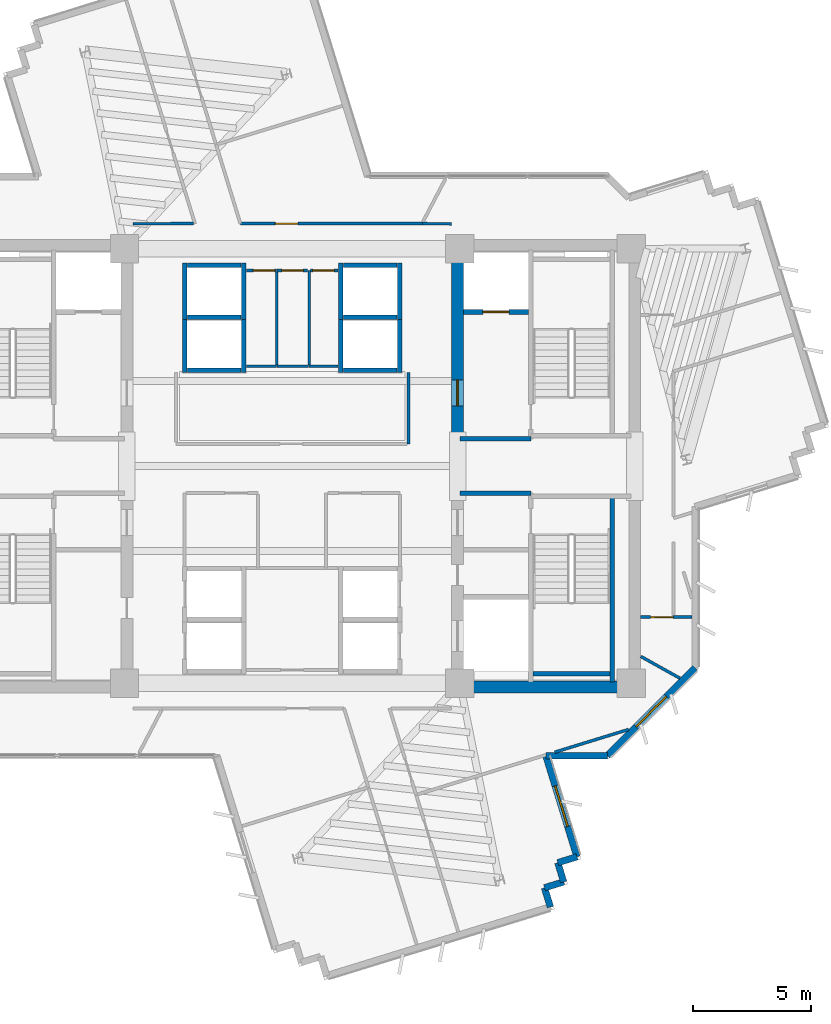
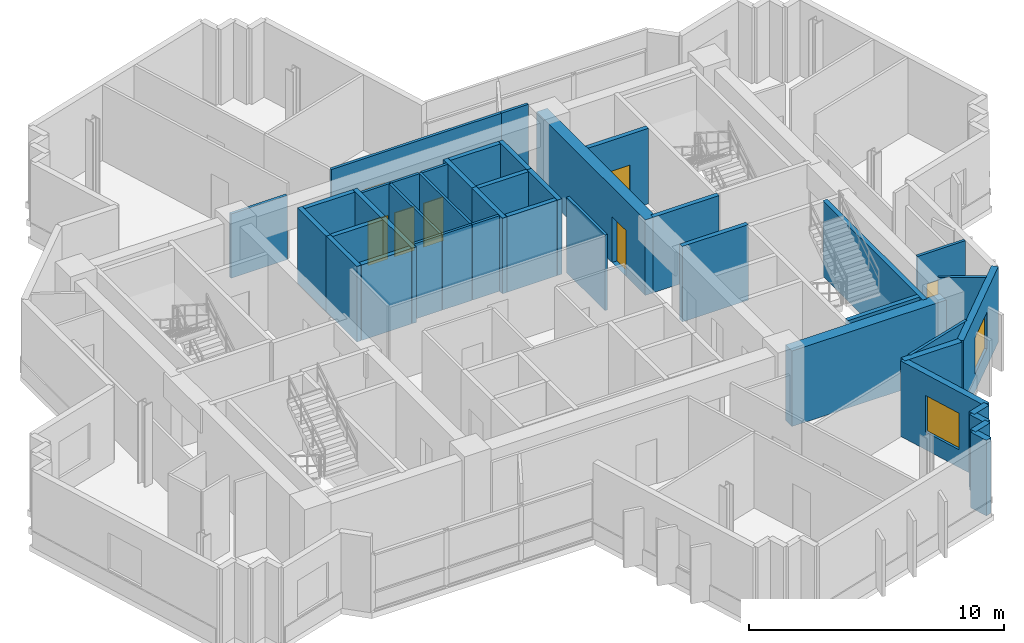
# One storey, part 7 of 13: 43 walls, 7 doors, 2 windows, 9 openings.
"""IFC4 building model written with IfcOpenShell, lengths in metres."""

from ifc_helpers import new_model, si_unit, direction, frame, frame_2d, origin, place, context, subcontext, project, spatial, rectangle, extrude, source, transform, mapped, material, layer, layer_set, type_object, element, fill, save


model = new_model("IFC4")

# Units and contexts
model_context = context("Model", 3, precision=1e-05, world=origin(), true_north=direction((0.0, 1.0)))
body_context = subcontext(model_context, "Body", "Model", "MODEL_VIEW")
ifc_project = project(units=[si_unit("LENGTHUNIT", "METRE"), si_unit("AREAUNIT", "SQUARE_METRE"), si_unit("VOLUMEUNIT", "CUBIC_METRE"), si_unit("PLANEANGLEUNIT", "RADIAN"), si_unit("MASSUNIT", "GRAM", prefix="KILO")], contexts=[model_context])

# Site, building, storey
site_placement = place(None, origin())
site = spatial("IfcSite", under=ifc_project, at=site_placement, CompositionType="ELEMENT")
building_placement = place(site_placement, origin())
building = spatial("IfcBuilding", under=site, at=building_placement, Name="Zahravan Cultural Tower", CompositionType="ELEMENT")
storey_placement = place(building_placement, frame((0.0, 0.0, 217.5)))
storey = spatial("IfcBuildingStorey", under=building, at=storey_placement, Name="L51", CompositionType="ELEMENT", Elevation=217.5)

# Wall, opening, door
ifc_material_1 = material(Name="Concrete C60/75", Category="concrete")
ifc_layer_1 = layer(ifc_material_1, 0.5)
ifc_layer_set_1 = layer_set([ifc_layer_1], Name="Concrete C60/75")
wall_type_1 = type_object("IfcWallType", Name="CW-SHEAR-500-C60", PredefinedType="SHEAR", material=ifc_layer_set_1)
wall_1_placement = place(storey_placement, frame((43.0, 28.050048828125, 0.0), z_axis=(0.0, 0.0, 1.0), x_axis=(0.0, 1.0, 0.0)))
wall_1 = element("IfcWall", 1, at=wall_1_placement, inside=storey, type_object=wall_type_1, Name="L51 Core Shear Wall CW-E-WN-L51", PredefinedType="SHEAR", context=body_context, shape_type="SweptSolid", body=[
    extrude(rectangle(XDim=8.550048828125, YDim=0.5, at=frame_2d((4.27490234375, 0.0))), origin(), (0.0, 0.0, 1.0), 3.6201171875),
])
opening_1_placement = place(wall_1_placement, frame((1.5, 0.0, 0.0)))
opening_1 = element("IfcOpeningElement", 2, at=opening_1_placement, cuts=wall_1, Name="Opening D-L51-06", PredefinedType="OPENING", context=body_context, shape_type="SweptSolid", body=[
    extrude(rectangle(XDim=1.10009765625, YDim=2.199951171875, at=frame_2d((0.550048828125, 1.10009765625))), frame((0.0, 0.260009765625, 0.0), z_axis=(0.0, -1.0, 0.0), x_axis=(1.0, 0.0, 0.0)), (0.0, 0.0, 1.0), 0.52001953125),
])
ifc_material_2 = material(Name="Steel ASTM A572 Grade 50", Category="steel")
door_type_1 = type_object("IfcDoorType", Name="DR-LOBBY-1100", OperationType="NOTDEFINED", PredefinedType="DOOR", material=ifc_material_2)
shared_shape_1 = source(origin(), body_context, "Body", "SweptSolid", [
    extrude(rectangle(XDim=1.10009765625, YDim=2.199951171875, at=frame_2d((0.550048828125, 1.10009765625))), frame((0.0, 0.02490234375, 0.0), z_axis=(0.0, -1.0, 0.0), x_axis=(1.0, 0.0, 0.0)), (0.0, 0.0, 1.0), 0.050048828125),
])
door_1_placement = place(opening_1_placement, origin())
door_1 = element("IfcDoor", 3, at=door_1_placement, inside=storey, type_object=door_type_1, Name="L51 Door D-L51-06", OperationType="SINGLE_SWING_LEFT", OverallHeight=2.199951171875, OverallWidth=1.10009765625, PredefinedType="DOOR", context=body_context, shape_type="MappedRepresentation", body=[
    mapped(shared_shape_1, transform((0.0, 0.0, 0.0), x_axis=(1.0, 0.0, 0.0), y_axis=(0.0, 1.0, 0.0), z_axis=(0.0, 0.0, 1.0), scale=1.0)),
])
fill(opening_1, door_1)

# Wall, opening, window
ifc_material_3 = material(Name="Precast concrete C40/50", Category="concrete")
ifc_layer_2 = layer(ifc_material_3, 0.280029296875)
ifc_layer_set_2 = layer_set([ifc_layer_2], Name="Precast concrete C40/50")
wall_type_2 = type_object("IfcWallType", Name="EW-TC-280", PredefinedType="SOLIDWALL", material=ifc_layer_set_2)
wall_2_placement = place(storey_placement, frame((53.06005859375, 18.4580078125, 0.0), z_axis=(0.0, 0.0, 1.0), x_axis=(-0.707106781187, -0.707106781187, 0.0)))
wall_2 = element("IfcWall", 4, at=wall_2_placement, inside=storey, type_object=wall_type_2, Name="L51 Exterior Masonry Frame Wall 13", PredefinedType="SOLIDWALL", context=body_context, shape_type="SweptSolid", body=[
    extrude(rectangle(XDim=5.258056640625, YDim=0.280029296875, at=frame_2d((2.62890625, 0.0))), origin(), (0.0, 0.0, 1.0), 3.6201171875),
])
opening_2_placement = place(wall_2_placement, frame((1.72900390625, 0.0, 0.85009765625)))
opening_2 = element("IfcOpeningElement", 5, at=opening_2_placement, cuts=wall_2, Name="Opening WN-02", PredefinedType="OPENING", context=body_context, shape_type="SweptSolid", body=[
    extrude(rectangle(XDim=1.800048828125, YDim=1.75, at=frame_2d((0.89990234375, 0.875))), frame((0.0, 0.14990234375, 0.0), z_axis=(0.0, -1.0, 0.0), x_axis=(1.0, 0.0, 0.0)), (0.0, 0.0, 1.0), 0.300048828125),
])
ifc_material_4 = material(Name="Low-E solar-control double glazing", Category="glass")
window_type = type_object("IfcWindowType", Name="WN-REC-1800X1750", PartitioningType="DOUBLE_PANEL_VERTICAL", PredefinedType="WINDOW", material=ifc_material_4)
shared_shape_2 = source(origin(), body_context, "Body", "SweptSolid", [
    extrude(rectangle(XDim=1.800048828125, YDim=1.75, at=frame_2d((0.89990234375, 0.875))), frame((0.0, 0.030029296875, 0.0), z_axis=(0.0, -1.0, 0.0), x_axis=(1.0, 0.0, 0.0)), (0.0, 0.0, 1.0), 0.06005859375),
])
window_1_placement = place(opening_2_placement, origin())
window_1 = element("IfcWindow", 6, at=window_1_placement, inside=storey, type_object=window_type, Name="L51 Recessed Solar Window 03", OverallHeight=1.75, OverallWidth=1.800048828125, PartitioningType="DOUBLE_PANEL_VERTICAL", PredefinedType="WINDOW", context=body_context, shape_type="MappedRepresentation", body=[
    mapped(shared_shape_2, transform((0.0, 0.0, 0.0), x_axis=(1.0, 0.0, 0.0), y_axis=(0.0, 1.0, 0.0), z_axis=(0.0, 0.0, 1.0), scale=1.0)),
])
fill(opening_2, window_1)

wall_3_placement = place(storey_placement, frame((46.73974609375, 14.739990234375, 0.0), z_axis=(0.0, 0.0, 1.0), x_axis=(0.294009328951, -0.95580254995, 0.0)))
wall_3 = element("IfcWall", 7, at=wall_3_placement, inside=storey, type_object=wall_type_2, Name="L51 Exterior Masonry Frame Wall 15", PredefinedType="SOLIDWALL", context=body_context, shape_type="SweptSolid", body=[
    extrude(rectangle(XDim=4.484130859375, YDim=0.280029296875, at=frame_2d((2.2421875, 0.0))), origin(), (0.0, 0.0, 1.0), 3.6201171875),
])
opening_3_placement = place(wall_3_placement, frame((1.342041015625, 0.0, 0.85009765625)))
opening_3 = element("IfcOpeningElement", 8, at=opening_3_placement, cuts=wall_3, Name="Opening WN-02", PredefinedType="OPENING", context=body_context, shape_type="SweptSolid", body=[
    extrude(rectangle(XDim=1.800048828125, YDim=1.75, at=frame_2d((0.89990234375, 0.875))), frame((0.0, 0.14990234375, 0.0), z_axis=(0.0, -1.0, 0.0), x_axis=(1.0, 0.0, 0.0)), (0.0, 0.0, 1.0), 0.300048828125),
])
window_2_placement = place(opening_3_placement, origin())
window_2 = element("IfcWindow", 9, at=window_2_placement, inside=storey, type_object=window_type, Name="L51 Recessed Solar Window 04", OverallHeight=1.75, OverallWidth=1.800048828125, PartitioningType="DOUBLE_PANEL_VERTICAL", PredefinedType="WINDOW", context=body_context, shape_type="MappedRepresentation", body=[
    mapped(shared_shape_2, transform((0.0, 0.0, 0.0), x_axis=(1.0, 0.0, 0.0), y_axis=(0.0, 1.0, 0.0), z_axis=(0.0, 0.0, 1.0), scale=1.0)),
])
fill(opening_3, window_2)

# Wall, opening, door
ifc_material_5 = material(Name="Gypsum plasterboard partition")
ifc_layer_3 = layer(ifc_material_5, 0.125)
ifc_layer_set_3 = layer_set([ifc_layer_3], Name="Gypsum plasterboard partition")
wall_type_3 = type_object("IfcWallType", Name="W-PART-125", PredefinedType="PARTITIONING", material=ifc_layer_set_3)
wall_4_placement = place(storey_placement, frame((50.7548828125, 20.60009765625, 0.0), z_axis=(0.0, 0.0, 1.0), x_axis=(0.99999875384, 0.001578708001, 0.0)))
wall_4 = element("IfcWall", 10, at=wall_4_placement, inside=storey, type_object=wall_type_3, Name="L51 Interior Wall 062", PredefinedType="PARTITIONING", context=body_context, shape_type="SweptSolid", body=[
    extrude(rectangle(XDim=2.1650390625, YDim=0.125, at=frame_2d((1.08251953125, 0.0))), origin(), (0.0, 0.0, 1.0), 3.6201171875),
])
opening_4_placement = place(wall_4_placement, frame((0.42529296875, 0.0, 0.0)))
opening_4 = element("IfcOpeningElement", 11, at=opening_4_placement, cuts=wall_4, Name="Opening D-L51-18", PredefinedType="OPENING", context=body_context, shape_type="SweptSolid", body=[
    extrude(rectangle(XDim=0.949951171875, YDim=2.14990234375, at=frame_2d((0.47509765625, 1.074951171875))), frame((0.0, 0.072509765625, 0.0), z_axis=(0.0, -1.0, 0.0), x_axis=(1.0, 0.0, 0.0)), (0.0, 0.0, 1.0), 0.14501953125),
])
ifc_material_6 = material(Name="Anodised bronze-aluminium mullion", Category="aluminium")
door_type_2 = type_object("IfcDoorType", Name="DR-ROOM-950", OperationType="NOTDEFINED", PredefinedType="DOOR", material=ifc_material_6)
shared_shape_3 = source(origin(), body_context, "Body", "SweptSolid", [
    extrude(rectangle(XDim=0.949951171875, YDim=2.14990234375, at=frame_2d((0.47509765625, 1.074951171875))), frame((0.0, 0.02490234375, 0.0), z_axis=(0.0, -1.0, 0.0), x_axis=(1.0, 0.0, 0.0)), (0.0, 0.0, 1.0), 0.050048828125),
])
door_2_placement = place(opening_4_placement, origin())
door_2 = element("IfcDoor", 12, at=door_2_placement, inside=storey, type_object=door_type_2, Name="L51 Door D-L51-18", OperationType="SINGLE_SWING_LEFT", OverallHeight=2.14990234375, OverallWidth=0.949951171875, PredefinedType="DOOR", context=body_context, shape_type="MappedRepresentation", body=[
    mapped(shared_shape_3, transform((0.0, 0.0, 0.0), x_axis=(1.0, 0.0, 0.0), y_axis=(0.0, 1.0, 0.0), z_axis=(0.0, 0.0, 1.0), scale=1.0)),
])
fill(opening_4, door_2)

wall_5_placement = place(storey_placement, frame((41.51025390625, 37.260009765625, 0.0), z_axis=(0.0, 0.0, 1.0), x_axis=(-1.0, 0.0, 0.0)))
wall_5 = element("IfcWall", 13, at=wall_5_placement, inside=storey, type_object=wall_type_3, Name="L51 Interior Wall 078", PredefinedType="PARTITIONING", context=body_context, shape_type="SweptSolid", body=[
    extrude(rectangle(XDim=7.7041015625, YDim=0.125, at=frame_2d((3.85205078125, 0.0))), origin(), (0.0, 0.0, 1.0), 3.6201171875),
])
opening_5_placement = place(wall_5_placement, frame((5.26806640625, 0.0, 0.0)))
opening_5 = element("IfcOpeningElement", 14, at=opening_5_placement, cuts=wall_5, Name="Opening D-L51-21", PredefinedType="OPENING", context=body_context, shape_type="SweptSolid", body=[
    extrude(rectangle(XDim=0.949951171875, YDim=2.14990234375, at=frame_2d((0.47509765625, 1.074951171875))), frame((0.0, 0.072509765625, 0.0), z_axis=(0.0, -1.0, 0.0), x_axis=(1.0, 0.0, 0.0)), (0.0, 0.0, 1.0), 0.14501953125),
])
door_3_placement = place(opening_5_placement, origin())
door_3 = element("IfcDoor", 15, at=door_3_placement, inside=storey, type_object=door_type_2, Name="L51 Door D-L51-21", OperationType="SINGLE_SWING_RIGHT", OverallHeight=2.14990234375, OverallWidth=0.949951171875, PredefinedType="DOOR", context=body_context, shape_type="MappedRepresentation", body=[
    mapped(shared_shape_3, transform((0.0, 0.0, 0.0), x_axis=(1.0, 0.0, 0.0), y_axis=(0.0, 1.0, 0.0), z_axis=(0.0, 0.0, 1.0), scale=1.0)),
])
fill(opening_5, door_3)

ifc_material_7 = material(Name="Concrete C45/55", Category="concrete")
ifc_layer_4 = layer(ifc_material_7, 0.199951171875)
ifc_layer_set_4 = layer_set([ifc_layer_4], Name="Concrete C45/55")
wall_type_4 = type_object("IfcWallType", Name="W-SHAFT-200", PredefinedType="SOLIDWALL", material=ifc_layer_set_4)
wall_6_placement = place(storey_placement, frame((43.25, 33.52001953125, 0.0), z_axis=(0.0, 0.0, 1.0), x_axis=(1.0, 0.0, 0.0)))
wall_6 = element("IfcWall", 16, at=wall_6_placement, inside=storey, type_object=wall_type_4, Name="L51 Interior Wall 022", PredefinedType="SOLIDWALL", context=body_context, shape_type="SweptSolid", body=[
    extrude(rectangle(XDim=2.75, YDim=0.199951171875, at=frame_2d((1.375, 0.0))), origin(), (0.0, 0.0, 1.0), 3.6201171875),
])
opening_6_placement = place(wall_6_placement, frame((0.820068359375, 0.0, 0.0)))
opening_6 = element("IfcOpeningElement", 17, at=opening_6_placement, cuts=wall_6, Name="Opening LD-L51-02", PredefinedType="OPENING", context=body_context, shape_type="SweptSolid", body=[
    extrude(rectangle(XDim=1.10009765625, YDim=2.14990234375, at=frame_2d((0.550048828125, 1.074951171875))), frame((0.0, 0.10986328125, 0.0), z_axis=(0.0, -1.0, 0.0), x_axis=(1.0, 0.0, 0.0)), (0.0, 0.0, 1.0), 0.219970703125),
])
door_type_3 = type_object("IfcDoorType", Name="DR-LIFT-1100", OperationType="DOUBLE_DOOR_SLIDING", PredefinedType="DOOR", material=ifc_material_2)
shared_shape_4 = source(origin(), body_context, "Body", "SweptSolid", [
    extrude(rectangle(XDim=1.10009765625, YDim=2.14990234375, at=frame_2d((0.550048828125, 1.074951171875))), frame((0.0, 0.02490234375, 0.0), z_axis=(0.0, -1.0, 0.0), x_axis=(1.0, 0.0, 0.0)), (0.0, 0.0, 1.0), 0.050048828125),
])
door_4_placement = place(opening_6_placement, origin())
door_4 = element("IfcDoor", 18, at=door_4_placement, inside=storey, type_object=door_type_3, Name="L51 Door LD-L51-02", OperationType="DOUBLE_DOOR_SLIDING", OverallHeight=2.14990234375, OverallWidth=1.10009765625, PredefinedType="DOOR", context=body_context, shape_type="MappedRepresentation", body=[
    mapped(shared_shape_4, transform((0.0, 0.0, 0.0), x_axis=(1.0, 0.0, 0.0), y_axis=(0.0, 1.0, 0.0), z_axis=(0.0, 0.0, 1.0), scale=1.0)),
])
fill(opening_6, door_4)

ifc_layer_5 = layer(ifc_material_5, 0.114990234375)
ifc_layer_set_5 = layer_set([ifc_layer_5], Name="Gypsum plasterboard partition")
wall_type_5 = type_object("IfcWallType", Name="W-WC-115", PredefinedType="PARTITIONING", material=ifc_layer_set_5)
wall_7_placement = place(storey_placement, frame((36.782470703125, 35.280029296875, 0.0), z_axis=(0.0, 0.0, 1.0), x_axis=(1.0, 0.0, 0.0)))
wall_7 = element("IfcWall", 19, at=wall_7_placement, inside=storey, type_object=wall_type_5, Name="L51 Interior Wall 056", PredefinedType="PARTITIONING", context=body_context, shape_type="SweptSolid", body=[
    extrude(rectangle(XDim=1.16259765625, YDim=0.114990234375, at=frame_2d((0.581298828125, 0.0))), origin(), (0.0, 0.0, 1.0), 3.6201171875),
])
opening_7_placement = place(wall_7_placement, frame((0.0888671875, 0.0, 0.0)))
opening_7 = element("IfcOpeningElement", 20, at=opening_7_placement, cuts=wall_7, Name="Opening D-L51-15", PredefinedType="OPENING", context=body_context, shape_type="SweptSolid", body=[
    extrude(rectangle(XDim=0.89990234375, YDim=2.10009765625, at=frame_2d((0.449951171875, 1.050048828125))), frame((0.0, 0.0673828125, 0.0), z_axis=(0.0, -1.0, 0.0), x_axis=(1.0, 0.0, 0.0)), (0.0, 0.0, 1.0), 0.135009765625),
])
door_type_4 = type_object("IfcDoorType", Name="DR-WC-900", OperationType="NOTDEFINED", PredefinedType="DOOR", material=ifc_material_6)
shared_shape_5 = source(origin(), body_context, "Body", "SweptSolid", [
    extrude(rectangle(XDim=0.89990234375, YDim=2.10009765625, at=frame_2d((0.449951171875, 1.050048828125))), frame((0.0, 0.02490234375, 0.0), z_axis=(0.0, -1.0, 0.0), x_axis=(1.0, 0.0, 0.0)), (0.0, 0.0, 1.0), 0.050048828125),
])
door_5_placement = place(opening_7_placement, origin())
door_5 = element("IfcDoor", 21, at=door_5_placement, inside=storey, type_object=door_type_4, Name="L51 Door D-L51-15", OperationType="SINGLE_SWING_RIGHT", OverallHeight=2.10009765625, OverallWidth=0.89990234375, PredefinedType="DOOR", context=body_context, shape_type="MappedRepresentation", body=[
    mapped(shared_shape_5, transform((0.0, 0.0, 0.0), x_axis=(1.0, 0.0, 0.0), y_axis=(0.0, 1.0, 0.0), z_axis=(0.0, 0.0, 1.0), scale=1.0)),
])
fill(opening_7, door_5)

wall_8_placement = place(storey_placement, frame((34.054931640625, 35.280029296875, 0.0), z_axis=(0.0, 0.0, 1.0), x_axis=(1.0, 0.0, 0.0)))
wall_8 = element("IfcWall", 22, at=wall_8_placement, inside=storey, type_object=wall_type_5, Name="L51 Interior Wall 058", PredefinedType="PARTITIONING", context=body_context, shape_type="SweptSolid", body=[
    extrude(rectangle(XDim=1.28515625, YDim=0.114990234375, at=frame_2d((0.642578125, 0.0))), origin(), (0.0, 0.0, 1.0), 3.6201171875),
])
opening_8_placement = place(wall_8_placement, frame((0.30029296875, 0.0, 0.0)))
opening_8 = element("IfcOpeningElement", 23, at=opening_8_placement, cuts=wall_8, Name="Opening D-L51-13", PredefinedType="OPENING", context=body_context, shape_type="SweptSolid", body=[
    extrude(rectangle(XDim=0.89990234375, YDim=2.10009765625, at=frame_2d((0.449951171875, 1.050048828125))), frame((0.0, 0.0673828125, 0.0), z_axis=(0.0, -1.0, 0.0), x_axis=(1.0, 0.0, 0.0)), (0.0, 0.0, 1.0), 0.135009765625),
])
door_6_placement = place(opening_8_placement, origin())
door_6 = element("IfcDoor", 24, at=door_6_placement, inside=storey, type_object=door_type_4, Name="L51 Door D-L51-13", OperationType="SINGLE_SWING_RIGHT", OverallHeight=2.10009765625, OverallWidth=0.89990234375, PredefinedType="DOOR", context=body_context, shape_type="MappedRepresentation", body=[
    mapped(shared_shape_5, transform((0.0, 0.0, 0.0), x_axis=(1.0, 0.0, 0.0), y_axis=(0.0, 1.0, 0.0), z_axis=(0.0, 0.0, 1.0), scale=1.0)),
])
fill(opening_8, door_6)

wall_9_placement = place(storey_placement, frame((35.360107421875, 35.280029296875, 0.0), z_axis=(0.0, 0.0, 1.0), x_axis=(1.0, 0.0, 0.0)))
wall_9 = element("IfcWall", 25, at=wall_9_placement, inside=storey, type_object=wall_type_5, Name="L51 Interior Wall 061", PredefinedType="PARTITIONING", context=body_context, shape_type="SweptSolid", body=[
    extrude(rectangle(XDim=1.29736328125, YDim=0.114990234375, at=frame_2d((0.648681640625, 0.0))), origin(), (0.0, 0.0, 1.0), 3.6201171875),
])
opening_9_placement = place(wall_9_placement, frame((0.19873046875, 0.0, 0.0)))
opening_9 = element("IfcOpeningElement", 26, at=opening_9_placement, cuts=wall_9, Name="Opening D-L51-14", PredefinedType="OPENING", context=body_context, shape_type="SweptSolid", body=[
    extrude(rectangle(XDim=0.89990234375, YDim=2.10009765625, at=frame_2d((0.449951171875, 1.050048828125))), frame((0.0, 0.0673828125, 0.0), z_axis=(0.0, -1.0, 0.0), x_axis=(1.0, 0.0, 0.0)), (0.0, 0.0, 1.0), 0.135009765625),
])
door_7_placement = place(opening_9_placement, origin())
door_7 = element("IfcDoor", 27, at=door_7_placement, inside=storey, type_object=door_type_4, Name="L51 Door D-L51-14", OperationType="SINGLE_SWING_LEFT", OverallHeight=2.10009765625, OverallWidth=0.89990234375, PredefinedType="DOOR", context=body_context, shape_type="MappedRepresentation", body=[
    mapped(shared_shape_5, transform((0.0, 0.0, 0.0), x_axis=(1.0, 0.0, 0.0), y_axis=(0.0, 1.0, 0.0), z_axis=(0.0, 0.0, 1.0), scale=1.0)),
])
fill(opening_9, door_7)

# Walls
shared_shape_6 = source(origin(), body_context, "Body", "SweptSolid", [
    extrude(rectangle(XDim=7.0, YDim=0.5, at=frame_2d((3.5, 0.0))), origin(), (0.0, 0.0, 1.0), 3.6201171875),
])
wall_10_placement = place(storey_placement, frame((43.25, 17.64990234375, 0.0), z_axis=(0.0, 0.0, 1.0), x_axis=(1.0, 0.0, 0.0)))
element("IfcWall", 28, at=wall_10_placement, inside=storey, type_object=wall_type_1, Name="L51 Core Shear Wall CW-E-S-L51", PredefinedType="SHEAR", context=body_context, shape_type="MappedRepresentation", body=[
    mapped(shared_shape_6, transform((0.0, 0.0, 0.0), x_axis=(1.0, 0.0, 0.0), y_axis=(0.0, 1.0, 0.0), z_axis=(0.0, 0.0, 1.0), scale=1.0)),
])
shared_shape_7 = source(origin(), body_context, "Body", "SweptSolid", [
    extrude(rectangle(XDim=0.85009765625, YDim=0.280029296875, at=frame_2d((0.425048828125, 0.0))), origin(), (0.0, 0.0, 1.0), 3.6201171875),
])
for number, where, z_axis, x_axis, name in (
    (29, (47.245849609375, 10.204345703125, 0.0), (0.0, 0.0, 1.0), (0.293823460726, -0.955859704102, 0.0), "L51 Exterior Masonry Frame Wall 17"),
    (30, (46.683349609375, 9.141845703125, 0.0), (0.0, 0.0, 1.0), (0.293823460726, -0.955859704102, 0.0), "L51 Exterior Masonry Frame Wall 19"),
):
    element("IfcWall", number, at=place(storey_placement, frame(where, z_axis=z_axis, x_axis=x_axis)), inside=storey, type_object=wall_type_2, Name=name, PredefinedType="SOLIDWALL", context=body_context, shape_type="MappedRepresentation", body=[
        mapped(shared_shape_7, transform((0.0, 0.0, 0.0), x_axis=(1.0, 0.0, 0.0), y_axis=(0.0, 1.0, 0.0), z_axis=(0.0, 0.0, 1.0), scale=1.0)),
    ])
shared_shape_8 = source(origin(), body_context, "Body", "SweptSolid", [
    extrude(rectangle(XDim=0.849853515625, YDim=0.280029296875, at=frame_2d((0.4248046875, 0.0))), origin(), (0.0, 0.0, 1.0), 3.6201171875),
])
for number, where, z_axis, x_axis, name in (
    (31, (48.05810546875, 10.4541015625, 0.0), (0.0, 0.0, 1.0), (-0.955834897765, -0.293904148005, 0.0), "L51 Exterior Masonry Frame Wall 16"),
    (32, (47.49560546875, 9.391845703125, 0.0), (0.0, 0.0, 1.0), (-0.95575416016, -0.294166594531, 0.0), "L51 Exterior Masonry Frame Wall 18"),
):
    element("IfcWall", number, at=place(storey_placement, frame(where, z_axis=z_axis, x_axis=x_axis)), inside=storey, type_object=wall_type_2, Name=name, PredefinedType="SOLIDWALL", context=body_context, shape_type="MappedRepresentation", body=[
        mapped(shared_shape_8, transform((0.0, 0.0, 0.0), x_axis=(1.0, 0.0, 0.0), y_axis=(0.0, 1.0, 0.0), z_axis=(0.0, 0.0, 1.0), scale=1.0)),
    ])
shared_shape_9 = source(origin(), body_context, "Body", "SweptSolid", [
    extrude(rectangle(XDim=2.602294921875, YDim=0.280029296875, at=frame_2d((1.30126953125, 0.0))), origin(), (0.0, 0.0, 1.0), 3.6201171875),
])
wall_11_placement = place(storey_placement, frame((49.342041015625, 14.739990234375, 0.0), z_axis=(0.0, 0.0, 1.0), x_axis=(-1.0, 0.0, 0.0)))
element("IfcWall", 33, at=wall_11_placement, inside=storey, type_object=wall_type_2, Name="L51 Exterior Masonry Frame Wall 14", PredefinedType="SOLIDWALL", context=body_context, shape_type="MappedRepresentation", body=[
    mapped(shared_shape_9, transform((0.0, 0.0, 0.0), x_axis=(1.0, 0.0, 0.0), y_axis=(0.0, 1.0, 0.0), z_axis=(0.0, 0.0, 1.0), scale=1.0)),
])
shared_shape_10 = source(origin(), body_context, "Body", "SweptSolid", [
    extrude(rectangle(XDim=7.869873046875, YDim=0.199951171875, at=frame_2d((3.93505859375, 0.0))), origin(), (0.0, 0.0, 1.0), 3.6201171875),
])
wall_12_placement = place(storey_placement, frame((49.550048828125, 17.85009765625, 0.0), z_axis=(0.0, 0.0, 1.0), x_axis=(0.0, 1.0, 0.0)))
element("IfcWall", 34, at=wall_12_placement, inside=storey, type_object=wall_type_4, Name="L51 Interior Wall 003", PredefinedType="SOLIDWALL", context=body_context, shape_type="MappedRepresentation", body=[
    mapped(shared_shape_10, transform((0.0, 0.0, 0.0), x_axis=(1.0, 0.0, 0.0), y_axis=(0.0, 1.0, 0.0), z_axis=(0.0, 0.0, 1.0), scale=1.0)),
])
shared_shape_11 = source(origin(), body_context, "Body", "SweptSolid", [
    extrude(rectangle(XDim=3.0, YDim=0.199951171875, at=frame_2d((1.5, 0.0))), origin(), (0.0, 0.0, 1.0), 3.6201171875),
])
for number, where, z_axis, x_axis, name in (
    (35, (43.10009765625, 25.85009765625, 0.0), (0.0, 0.0, 1.0), (1.0, 0.0, 0.0), "L51 Interior Wall 013"),
    (36, (43.10009765625, 28.14990234375, 0.0), (0.0, 0.0, 1.0), (1.0, 0.0, 0.0), "L51 Interior Wall 015"),
):
    element("IfcWall", number, at=place(storey_placement, frame(where, z_axis=z_axis, x_axis=x_axis)), inside=storey, type_object=wall_type_4, Name=name, PredefinedType="SOLIDWALL", context=body_context, shape_type="MappedRepresentation", body=[
        mapped(shared_shape_11, transform((0.0, 0.0, 0.0), x_axis=(1.0, 0.0, 0.0), y_axis=(0.0, 1.0, 0.0), z_axis=(0.0, 0.0, 1.0), scale=1.0)),
    ])
shared_shape_12 = source(origin(), body_context, "Body", "SweptSolid", [
    extrude(rectangle(XDim=3.25, YDim=0.199951171875, at=frame_2d((1.625, 0.0))), origin(), (0.0, 0.0, 1.0), 3.6201171875),
])
wall_13_placement = place(storey_placement, frame((46.199951171875, 18.199951171875, 0.0), z_axis=(0.0, 0.0, 1.0), x_axis=(1.0, 0.0, 0.0)))
element("IfcWall", 37, at=wall_13_placement, inside=storey, type_object=wall_type_4, Name="L51 Interior Wall 020", PredefinedType="SOLIDWALL", context=body_context, shape_type="MappedRepresentation", body=[
    mapped(shared_shape_12, transform((0.0, 0.0, 0.0), x_axis=(1.0, 0.0, 0.0), y_axis=(0.0, 1.0, 0.0), z_axis=(0.0, 0.0, 1.0), scale=1.0)),
])
shared_shape_13 = source(origin(), body_context, "Body", "SweptSolid", [
    extrude(rectangle(XDim=2.400146484375, YDim=0.199951171875, at=frame_2d((1.2001953125, 0.0))), origin(), (0.0, 0.0, 1.0), 3.6201171875),
])
for number, where, z_axis, x_axis, name in (
    (38, (31.449951171875, 33.199951171875, 0.0), (0.0, 0.0, 1.0), (0.0, 1.0, 0.0), "L51 Interior Wall 026"),
    (39, (33.949951171875, 33.199951171875, 0.0), (0.0, 0.0, 1.0), (0.0, 1.0, 0.0), "L51 Interior Wall 027"),
    (40, (31.449951171875, 30.949951171875, 0.0), (0.0, 0.0, 1.0), (0.0, 1.0, 0.0), "L51 Interior Wall 030"),
    (41, (33.949951171875, 30.949951171875, 0.0), (0.0, 0.0, 1.0), (0.0, 1.0, 0.0), "L51 Interior Wall 031"),
    (42, (38.050048828125, 33.199951171875, 0.0), (0.0, 0.0, 1.0), (0.0, 1.0, 0.0), "L51 Interior Wall 033"),
    (43, (40.550048828125, 33.199951171875, 0.0), (0.0, 0.0, 1.0), (0.0, 1.0, 0.0), "L51 Interior Wall 034"),
    (44, (38.050048828125, 30.949951171875, 0.0), (0.0, 0.0, 1.0), (0.0, 1.0, 0.0), "L51 Interior Wall 037"),
    (45, (40.550048828125, 30.949951171875, 0.0), (0.0, 0.0, 1.0), (0.0, 1.0, 0.0), "L51 Interior Wall 038"),
):
    element("IfcWall", number, at=place(storey_placement, frame(where, z_axis=z_axis, x_axis=x_axis)), inside=storey, type_object=wall_type_4, Name=name, PredefinedType="SOLIDWALL", context=body_context, shape_type="MappedRepresentation", body=[
        mapped(shared_shape_13, transform((0.0, 0.0, 0.0), x_axis=(1.0, 0.0, 0.0), y_axis=(0.0, 1.0, 0.0), z_axis=(0.0, 0.0, 1.0), scale=1.0)),
    ])
shared_shape_14 = source(origin(), body_context, "Body", "SweptSolid", [
    extrude(rectangle(XDim=2.260009765625, YDim=0.199951171875, at=frame_2d((1.1298828125, 0.0))), origin(), (0.0, 0.0, 1.0), 3.6201171875),
])
for number, where, z_axis, x_axis, name in (
    (46, (31.570068359375, 33.300048828125, 0.0), (0.0, 0.0, 1.0), (1.0, 0.0, 0.0), "L51 Interior Wall 028"),
    (47, (31.570068359375, 35.5, 0.0), (0.0, 0.0, 1.0), (1.0, 0.0, 0.0), "L51 Interior Wall 029"),
    (48, (31.570068359375, 31.050048828125, 0.0), (0.0, 0.0, 1.0), (1.0, 0.0, 0.0), "L51 Interior Wall 032"),
    (49, (38.169921875, 33.300048828125, 0.0), (0.0, 0.0, 1.0), (1.0, 0.0, 0.0), "L51 Interior Wall 035"),
    (50, (38.169921875, 35.5, 0.0), (0.0, 0.0, 1.0), (1.0, 0.0, 0.0), "L51 Interior Wall 036"),
    (51, (38.169921875, 31.050048828125, 0.0), (0.0, 0.0, 1.0), (1.0, 0.0, 0.0), "L51 Interior Wall 039"),
):
    element("IfcWall", number, at=place(storey_placement, frame(where, z_axis=z_axis, x_axis=x_axis)), inside=storey, type_object=wall_type_4, Name=name, PredefinedType="SOLIDWALL", context=body_context, shape_type="MappedRepresentation", body=[
        mapped(shared_shape_14, transform((0.0, 0.0, 0.0), x_axis=(1.0, 0.0, 0.0), y_axis=(0.0, 1.0, 0.0), z_axis=(0.0, 0.0, 1.0), scale=1.0)),
    ])
shared_shape_15 = source(origin(), body_context, "Body", "SweptSolid", [
    extrude(rectangle(XDim=1.22509765625, YDim=0.114990234375, at=frame_2d((0.612548828125, 0.0))), origin(), (0.0, 0.0, 1.0), 3.6201171875),
])
wall_14_placement = place(storey_placement, frame((37.945068359375, 31.219970703125, 0.0), z_axis=(0.0, 0.0, 1.0), x_axis=(-1.0, 0.0, 0.0)))
element("IfcWall", 52, at=wall_14_placement, inside=storey, type_object=wall_type_5, Name="L51 Interior Wall 054", PredefinedType="PARTITIONING", context=body_context, shape_type="MappedRepresentation", body=[
    mapped(shared_shape_15, transform((0.0, 0.0, 0.0), x_axis=(1.0, 0.0, 0.0), y_axis=(0.0, 1.0, 0.0), z_axis=(0.0, 0.0, 1.0), scale=1.0)),
])
shared_shape_16 = source(origin(), body_context, "Body", "SweptSolid", [
    extrude(rectangle(XDim=3.99755859375, YDim=0.114990234375, at=frame_2d((1.998779296875, 0.0))), origin(), (0.0, 0.0, 1.0), 3.6201171875),
])
wall_15_placement = place(storey_placement, frame((36.719970703125, 31.282470703125, 0.0), z_axis=(0.0, 0.0, 1.0), x_axis=(0.0, 1.0, 0.0)))
element("IfcWall", 53, at=wall_15_placement, inside=storey, type_object=wall_type_5, Name="L51 Interior Wall 055", PredefinedType="PARTITIONING", context=body_context, shape_type="MappedRepresentation", body=[
    mapped(shared_shape_16, transform((0.0, 0.0, 0.0), x_axis=(1.0, 0.0, 0.0), y_axis=(0.0, 1.0, 0.0), z_axis=(0.0, 0.0, 1.0), scale=1.0)),
])
shared_shape_17 = source(origin(), body_context, "Body", "SweptSolid", [
    extrude(rectangle(XDim=1.28515625, YDim=0.114990234375, at=frame_2d((0.642578125, 0.0))), origin(), (0.0, 0.0, 1.0), 3.6201171875),
])
wall_16_placement = place(storey_placement, frame((35.340087890625, 31.219970703125, 0.0), z_axis=(0.0, 0.0, 1.0), x_axis=(-1.0, 0.0, 0.0)))
element("IfcWall", 54, at=wall_16_placement, inside=storey, type_object=wall_type_5, Name="L51 Interior Wall 057", PredefinedType="PARTITIONING", context=body_context, shape_type="MappedRepresentation", body=[
    mapped(shared_shape_17, transform((0.0, 0.0, 0.0), x_axis=(1.0, 0.0, 0.0), y_axis=(0.0, 1.0, 0.0), z_axis=(0.0, 0.0, 1.0), scale=1.0)),
])
shared_shape_18 = source(origin(), body_context, "Body", "SweptSolid", [
    extrude(rectangle(XDim=3.93505859375, YDim=0.114990234375, at=frame_2d((1.967529296875, 0.0))), origin(), (0.0, 0.0, 1.0), 3.6201171875),
])
wall_17_placement = place(storey_placement, frame((35.340087890625, 35.217529296875, 0.0), z_axis=(0.0, 0.0, 1.0), x_axis=(0.0, -1.0, 0.0)))
element("IfcWall", 55, at=wall_17_placement, inside=storey, type_object=wall_type_5, Name="L51 Interior Wall 059", PredefinedType="PARTITIONING", context=body_context, shape_type="MappedRepresentation", body=[
    mapped(shared_shape_18, transform((0.0, 0.0, 0.0), x_axis=(1.0, 0.0, 0.0), y_axis=(0.0, 1.0, 0.0), z_axis=(0.0, 0.0, 1.0), scale=1.0)),
])
shared_shape_19 = source(origin(), body_context, "Body", "SweptSolid", [
    extrude(rectangle(XDim=1.33984375, YDim=0.114990234375, at=frame_2d((0.669921875, 0.0))), origin(), (0.0, 0.0, 1.0), 3.6201171875),
])
wall_18_placement = place(storey_placement, frame((36.699951171875, 31.219970703125, 0.0), z_axis=(0.0, 0.0, 1.0), x_axis=(-1.0, 0.0, 0.0)))
element("IfcWall", 56, at=wall_18_placement, inside=storey, type_object=wall_type_5, Name="L51 Interior Wall 060", PredefinedType="PARTITIONING", context=body_context, shape_type="MappedRepresentation", body=[
    mapped(shared_shape_19, transform((0.0, 0.0, 0.0), x_axis=(1.0, 0.0, 0.0), y_axis=(0.0, 1.0, 0.0), z_axis=(0.0, 0.0, 1.0), scale=1.0)),
])
shared_shape_20 = source(origin(), body_context, "Body", "SweptSolid", [
    extrude(rectangle(XDim=3.010009765625, YDim=0.125, at=frame_2d((1.5048828125, 0.0))), origin(), (0.0, 0.0, 1.0), 3.6201171875),
])
wall_19_placement = place(storey_placement, frame((40.919921875, 30.949951171875, 0.0), z_axis=(0.0, 0.0, 1.0), x_axis=(0.0, -1.0, 0.0)))
element("IfcWall", 57, at=wall_19_placement, inside=storey, type_object=wall_type_3, Name="L51 Interior Wall 087", PredefinedType="PARTITIONING", context=body_context, shape_type="MappedRepresentation", body=[
    mapped(shared_shape_20, transform((0.0, 0.0, 0.0), x_axis=(1.0, 0.0, 0.0), y_axis=(0.0, 1.0, 0.0), z_axis=(0.0, 0.0, 1.0), scale=1.0)),
])
shared_shape_21 = source(origin(), body_context, "Body", "SweptSolid", [
    extrude(rectangle(XDim=1.898193359375, YDim=0.125, at=frame_2d((0.94921875, 0.0))), origin(), (0.0, 0.0, 1.0), 3.6201171875),
])
wall_20_placement = place(storey_placement, frame((52.41357421875, 18.0166015625, 0.0), z_axis=(0.0, 0.0, 1.0), x_axis=(-0.873799105313, 0.486287079362, 0.0)))
element("IfcWall", 58, at=wall_20_placement, inside=storey, type_object=wall_type_3, Name="L51 Interior Wall 065", PredefinedType="PARTITIONING", context=body_context, shape_type="MappedRepresentation", body=[
    mapped(shared_shape_21, transform((0.0, 0.0, 0.0), x_axis=(1.0, 0.0, 0.0), y_axis=(0.0, 1.0, 0.0), z_axis=(0.0, 0.0, 1.0), scale=1.0)),
])
shared_shape_22 = source(origin(), body_context, "Body", "SweptSolid", [
    extrude(rectangle(XDim=3.26806640625, YDim=0.125, at=frame_2d((1.634033203125, 0.0))), origin(), (0.0, 0.0, 1.0), 3.6201171875),
])
wall_21_placement = place(storey_placement, frame((50.241455078125, 15.844482421875, 0.0), z_axis=(0.0, 0.0, 1.0), x_axis=(-0.955791929964, -0.294043851519, 0.0)))
element("IfcWall", 59, at=wall_21_placement, inside=storey, type_object=wall_type_3, Name="L51 Interior Wall 076", PredefinedType="PARTITIONING", context=body_context, shape_type="MappedRepresentation", body=[
    mapped(shared_shape_22, transform((0.0, 0.0, 0.0), x_axis=(1.0, 0.0, 0.0), y_axis=(0.0, 1.0, 0.0), z_axis=(0.0, 0.0, 1.0), scale=1.0)),
])
shared_shape_23 = source(origin(), body_context, "Body", "SweptSolid", [
    extrude(rectangle(XDim=1.238037109375, YDim=0.125, at=frame_2d((0.619140625, 0.0))), origin(), (0.0, 0.0, 1.0), 3.6201171875),
])
wall_22_placement = place(storey_placement, frame((42.748291015625, 37.25732421875, 0.0), z_axis=(0.0, 0.0, 1.0), x_axis=(-0.9999976473, 0.002169192293, 0.0)))
element("IfcWall", 60, at=wall_22_placement, inside=storey, type_object=wall_type_3, Name="L51 Interior Wall 096", PredefinedType="PARTITIONING", context=body_context, shape_type="MappedRepresentation", body=[
    mapped(shared_shape_23, transform((0.0, 0.0, 0.0), x_axis=(1.0, 0.0, 0.0), y_axis=(0.0, 1.0, 0.0), z_axis=(0.0, 0.0, 1.0), scale=1.0)),
])
shared_shape_24 = source(origin(), body_context, "Body", "SweptSolid", [
    extrude(rectangle(XDim=2.555419921875, YDim=0.125, at=frame_2d((1.27783203125, 0.0))), origin(), (0.0, 0.0, 1.0), 3.0791015625),
])
wall_23_placement = place(storey_placement, frame((31.810302734375, 37.260009765625, 0.0), z_axis=(0.0, 0.0, 1.0), x_axis=(-0.999999885905, -0.000477691739, 0.0)))
element("IfcWall", 61, at=wall_23_placement, inside=storey, type_object=wall_type_3, Name="L51 Interior Wall 101", PredefinedType="PARTITIONING", context=body_context, shape_type="MappedRepresentation", body=[
    mapped(shared_shape_24, transform((0.0, 0.0, 0.0), x_axis=(1.0, 0.0, 0.0), y_axis=(0.0, 1.0, 0.0), z_axis=(0.0, 0.0, 1.0), scale=1.0)),
])

save(model, "model.ifc")
